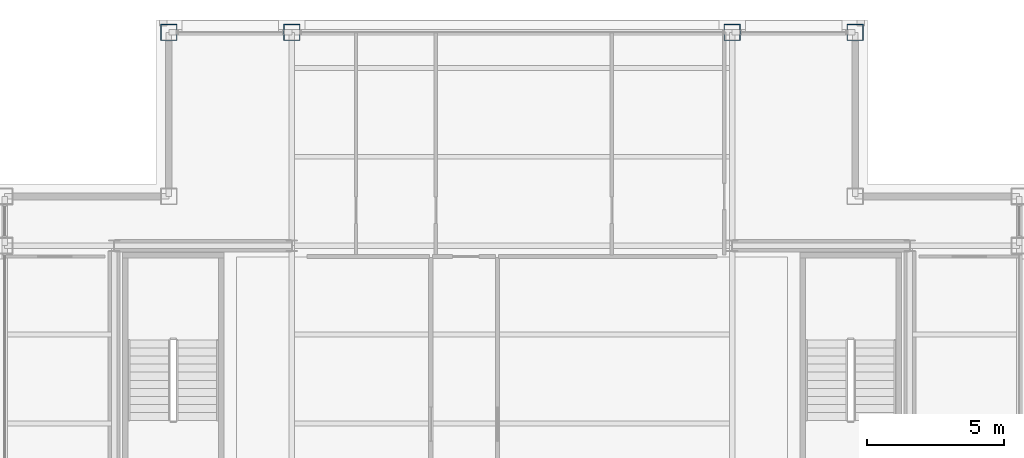
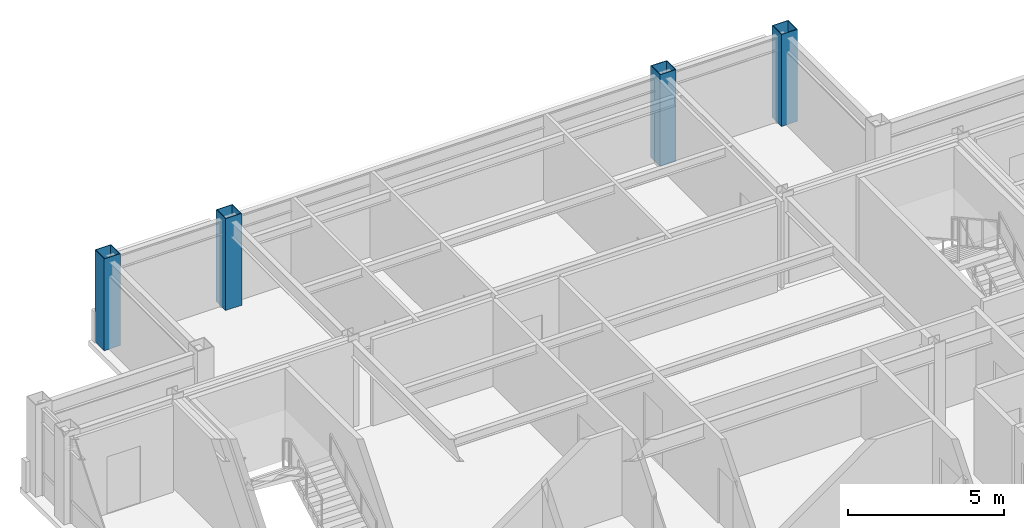
# One storey, part 2 of 24: 4 columns.
"""IFC4 building model written with IfcOpenShell, lengths in metres."""

import ifcopenshell
import ifcopenshell.guid

model = None  # the IFC model being written
_history = None  # IfcOwnerHistory: only IFC2X3 demands one
_inside = {}  # id of a spatial element -> (the spatial element, [elements in it])
_under = {}  # id of a project, library or spatial element -> (it, [spatial elements below it])
_declared = {}  # id of a project -> (the project, [libraries it declares])
_typed = {}  # id of a type object -> (the type object, [elements of that type])
_made_of = {}  # id of a material, layer set ... -> (it, [elements and type objects made of it])


def new_model(schema):
    """Start an empty IFC model of exactly this schema.

    Asked for "IFC4X3", IfcOpenShell would pick the latest addendum, in which some entities
    have other attributes; the version numbers below select the first issue.
    IFC2X3 requires an IfcOwnerHistory on every rooted entity: one is made here for all.
    """
    global model, _history
    if schema == "IFC4X3":
        model = ifcopenshell.file(schema_version=(4, 3, 0, 0))
    else:
        model = ifcopenshell.file(schema=schema)
    _inside.clear()
    _under.clear()
    _declared.clear()
    _typed.clear()
    _made_of.clear()
    _history = None
    if model.schema == "IFC2X3":
        org = make("IfcOrganization", Name="unknown")
        user = make(
            "IfcPersonAndOrganization",
            ThePerson=make("IfcPerson", FamilyName="unknown"),
            TheOrganization=org,
        )
        app = make(
            "IfcApplication",
            ApplicationDeveloper=org,
            Version="unknown",
            ApplicationFullName="unknown",
            ApplicationIdentifier="unknown",
        )
        _history = make(
            "IfcOwnerHistory",
            OwningUser=user,
            OwningApplication=app,
            ChangeAction="ADDED",
            CreationDate=0,
        )
    return model


def make(cls, **values):
    """One entity of the class cls with the attributes given. An attribute that is None is left unset."""
    return model.create_entity(
        cls, **{name: value for name, value in values.items() if value is not None}
    )


def rooted(cls, **values):
    """An entity with a GlobalId (a new one), such as an element, a storey or a relation."""
    return make(cls, GlobalId=ifcopenshell.guid.new(), OwnerHistory=_history, **values)


def si_unit(unit_type, name, prefix=None):
    """IfcSIUnit, for example si_unit("LENGTHUNIT", "METRE", prefix="MILLI")."""
    return make("IfcSIUnit", UnitType=unit_type, Prefix=prefix, Name=name)


def assignment(units):
    """IfcUnitAssignment: the units of a project."""
    return None if units is None else make("IfcUnitAssignment", Units=units)


def point(xyz):
    """IfcCartesianPoint."""
    return None if xyz is None else make("IfcCartesianPoint", Coordinates=xyz)


def direction(xyz):
    """IfcDirection."""
    return None if xyz is None else make("IfcDirection", DirectionRatios=xyz)


def frame(location, z_axis=None, x_axis=None):
    """IfcAxis2Placement3D, a coordinate frame: its origin and axes. An axis left out is left unset."""
    return make(
        "IfcAxis2Placement3D",
        Location=point(location),
        Axis=direction(z_axis),
        RefDirection=direction(x_axis),
    )


def frame_2d(location, x_axis=None):
    """IfcAxis2Placement2D, a coordinate frame in the plane: its origin and x axis."""
    return make(
        "IfcAxis2Placement2D", Location=point(location), RefDirection=direction(x_axis)
    )


def origin():
    """The frame at (0, 0, 0) with its axes left unset."""
    return frame((0.0, 0.0, 0.0))


def origin_2d():
    """The frame at (0, 0) in the plane with its x axis left unset."""
    return frame_2d((0.0, 0.0))


def place(relative_to, where):
    """IfcLocalPlacement: puts the frame where relative to a parent placement (None: the world)."""
    return make(
        "IfcLocalPlacement", PlacementRelTo=relative_to, RelativePlacement=where
    )


def context(
    kind, dimensions, precision=None, world=None, true_north=None, identifier=None
):
    """IfcGeometricRepresentationContext, for example the 3D "Model" context."""
    return make(
        "IfcGeometricRepresentationContext",
        ContextIdentifier=identifier,
        ContextType=kind,
        CoordinateSpaceDimension=dimensions,
        Precision=precision,
        WorldCoordinateSystem=world,
        TrueNorth=true_north,
    )


def subcontext(parent, identifier, kind, view, scale=None):
    """IfcGeometricRepresentationSubContext, for example "Body" below "Model"."""
    return make(
        "IfcGeometricRepresentationSubContext",
        ContextIdentifier=identifier,
        ContextType=kind,
        ParentContext=parent,
        TargetScale=scale,
        TargetView=view,
    )


def project(units=None, contexts=None):
    """IfcProject with its units and contexts."""
    return rooted(
        "IfcProject",
        Name="project",
        RepresentationContexts=contexts,
        UnitsInContext=assignment(units),
    )


def spatial(cls, under=None, at=None, **own):
    """A site, building, storey or space (cls), placed at a placement, below another one or the project."""
    s = rooted(cls, ObjectPlacement=at, **own)
    if under is not None:
        _under.setdefault(under.id(), (under, []))[1].append(s)
    return s


def profile(cls, at=None, kind="AREA", **sizes):
    """A parametric profile (cls). Its sizes go by their IFC names, for example OverallWidth=200.0."""
    return make(cls, ProfileType=kind, Position=at, **sizes)


def hollow_rectangle(**sizes):
    """IfcRectangleHollowProfileDef."""
    return profile("IfcRectangleHollowProfileDef", **sizes)


def extrude(swept, where, along, depth):
    """IfcExtrudedAreaSolid: the profile swept, set in the frame where, extruded along a direction by depth."""
    return make(
        "IfcExtrudedAreaSolid",
        SweptArea=swept,
        Position=where,
        ExtrudedDirection=direction(along),
        Depth=depth,
    )


def shape(context_of_items, identifier, shape_type, items):
    """IfcShapeRepresentation: the items that make up one representation, for example the "Body"."""
    return make(
        "IfcShapeRepresentation",
        ContextOfItems=context_of_items,
        RepresentationIdentifier=identifier,
        RepresentationType=shape_type,
        Items=items,
    )


def material(Name=None, Category=None):
    """IfcMaterial."""
    return make("IfcMaterial", Name=Name, Category=Category)


def material_profile(
    of_material, cross_section, Name=None, Category=None, Priority=None
):
    """IfcMaterialProfile: a cross section and its material."""
    return make(
        "IfcMaterialProfile",
        Name=Name,
        Material=of_material,
        Profile=cross_section,
        Priority=Priority,
        Category=Category,
    )


def profile_set(profiles, Name=None, composite=None):
    """IfcMaterialProfileSet."""
    return make(
        "IfcMaterialProfileSet",
        Name=Name,
        MaterialProfiles=profiles,
        CompositeProfile=composite,
    )


def made_of(thing, what):
    """Note that an element or type object is made of a material, layer set ...; save() writes the relation."""
    if what is not None:
        _made_of.setdefault(what.id(), (what, []))[1].append(thing)
    return thing


def type_object(cls, material=None, **own):
    """A type object (cls), such as IfcWallType, which elements share."""
    return made_of(rooted(cls, **own), material)


def element(
    cls,
    number,
    at=None,
    inside=None,
    cuts=None,
    type_object=None,
    material=None,
    context=None,
    identifier="Body",
    shape_type=None,
    held_by="IfcProductDefinitionShape",
    body=None,
    shapes=None,
    **own,
):
    """One element of the class cls, such as IfcWall. Its Tag is "e" and its number.

    at: its placement. inside: the storey or other place that contains it. cuts: it is an
    opening in that element (IfcRelVoidsElement). A single representation is given by context,
    identifier, shape_type and body (its items); several are given by shapes. held_by: the class
    of the entity that holds the representations. save() writes the other relations.
    """
    e = rooted(cls, Tag="e%d" % number, ObjectPlacement=at, **own)
    if body is not None:
        shapes = [shape(context, identifier, shape_type, body)]
    if shapes is not None:
        e.Representation = make(held_by, Representations=shapes)
    if inside is not None:
        _inside.setdefault(inside.id(), (inside, []))[1].append(e)
    if cuts is not None:
        rooted(
            "IfcRelVoidsElement", RelatingBuildingElement=cuts, RelatedOpeningElement=e
        )
    if type_object is not None:
        _typed.setdefault(type_object.id(), (type_object, []))[1].append(e)
    return made_of(e, material)


def aggregate(whole, parts):
    """IfcRelAggregates: a whole, such as a stair, and the parts it consists of."""
    return rooted("IfcRelAggregates", RelatingObject=whole, RelatedObjects=parts)


def save(model, path):
    """Write the relations noted so far, then the file.

    IfcRelAggregates (storeys below a building ...), IfcRelContainedInSpatialStructure (elements
    in a storey), IfcRelDefinesByType, IfcRelAssociatesMaterial and IfcRelDeclares: one each for
    every whole, place, type object, material and project.
    """
    for whole, parts in _under.values():
        aggregate(whole, parts)
    for where, things in _inside.values():
        rooted(
            "IfcRelContainedInSpatialStructure",
            RelatedElements=things,
            RelatingStructure=where,
        )
    for kind, things in _typed.values():
        rooted("IfcRelDefinesByType", RelatedObjects=things, RelatingType=kind)
    for what, things in _made_of.values():
        rooted("IfcRelAssociatesMaterial", RelatedObjects=things, RelatingMaterial=what)
    for by, libraries in _declared.values():
        rooted("IfcRelDeclares", RelatingContext=by, RelatedDefinitions=libraries)
    model.write(path)


model = new_model("IFC4")

# Units and contexts
model_context = context("Model", 3, precision=1e-05, world=origin(), true_north=direction((0.0, 1.0)))
body_context = subcontext(model_context, "Body", "Model", "MODEL_VIEW")
ifc_project = project(units=[si_unit("LENGTHUNIT", "METRE"), si_unit("AREAUNIT", "SQUARE_METRE"), si_unit("VOLUMEUNIT", "CUBIC_METRE"), si_unit("PLANEANGLEUNIT", "RADIAN"), si_unit("MASSUNIT", "GRAM", prefix="KILO")], contexts=[model_context])

# Site, building, storey
site_placement = place(None, origin())
site = spatial("IfcSite", under=ifc_project, at=site_placement, CompositionType="ELEMENT")
building_placement = place(site_placement, origin())
building = spatial("IfcBuilding", under=site, at=building_placement, Name="Brelmoor Portico Tower", CompositionType="ELEMENT")
storey_placement = place(building_placement, frame((0.0, 0.0, 261.60009765625)))
storey = spatial("IfcBuildingStorey", under=building, at=storey_placement, Name="L69", CompositionType="ELEMENT", Elevation=261.60009765625)

# Columns
ifc_material = material(Name="Steel Q355B", Category="steel")
ifc_material_profile = material_profile(ifc_material, hollow_rectangle(XDim=0.60009765625, YDim=0.60009765625, WallThickness=0.02490234375, at=origin_2d()), Name="BOX 600x600x25")
ifc_profile_set = profile_set([ifc_material_profile], Name="Steel Q355B")
column_type = type_object("IfcColumnType", Name="COL-MEGA-600", PredefinedType="COLUMN", material=ifc_profile_set)
for number, where, z_axis, x_axis, name in (
    (1, (-12.550048828125, 17.550048828125, 0.0), (0.0, 0.0, 1.0), (1.0, 0.0, 0.0), "L69 Perimeter Mega-Column PN01"),
    (2, (-8.050048828125, 17.550048828125, 0.0), (0.0, 0.0, 1.0), (1.0, 0.0, 0.0), "L69 Perimeter Mega-Column PN02"),
    (3, (8.050048828125, 17.550048828125, 0.0), (0.0, 0.0, 1.0), (1.0, 0.0, 0.0), "L69 Perimeter Mega-Column PN03"),
    (4, (12.550048828125, 17.550048828125, 0.0), (0.0, 0.0, 1.0), (1.0, 0.0, 0.0), "L69 Perimeter Mega-Column PN04"),
):
    element("IfcColumn", number, at=place(storey_placement, frame(where, z_axis=z_axis, x_axis=x_axis)), inside=storey, type_object=column_type, Name=name, PredefinedType="COLUMN", context=body_context, shape_type="SweptSolid", body=[
        extrude(hollow_rectangle(XDim=0.60009765625, YDim=0.60009765625, WallThickness=0.02490234375, at=origin_2d()), origin(), (0.0, 0.0, 1.0), 3.599853515625),
    ])

save(model, "model.ifc")
